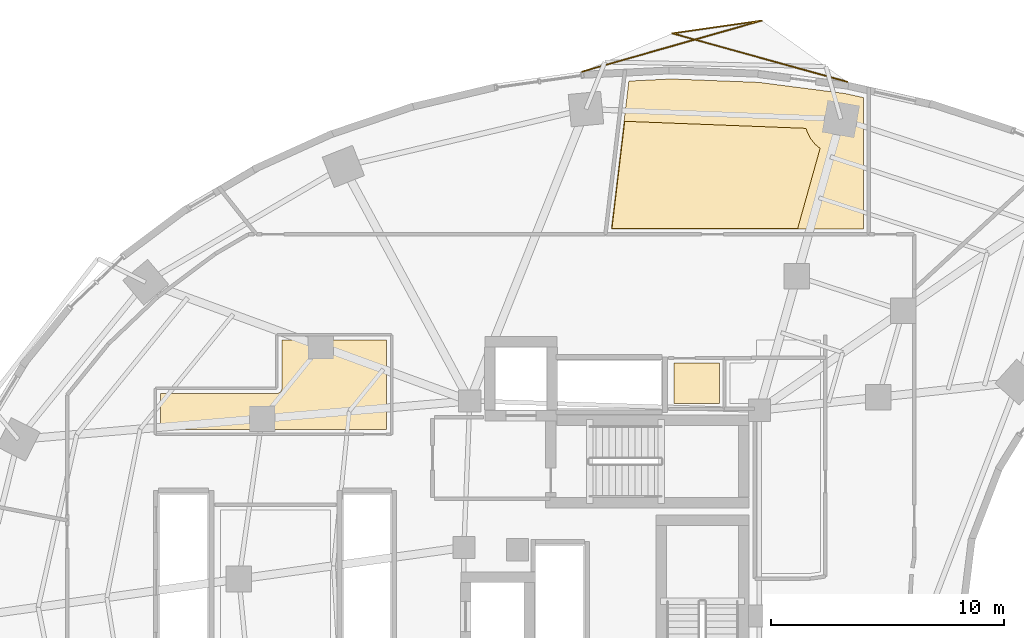
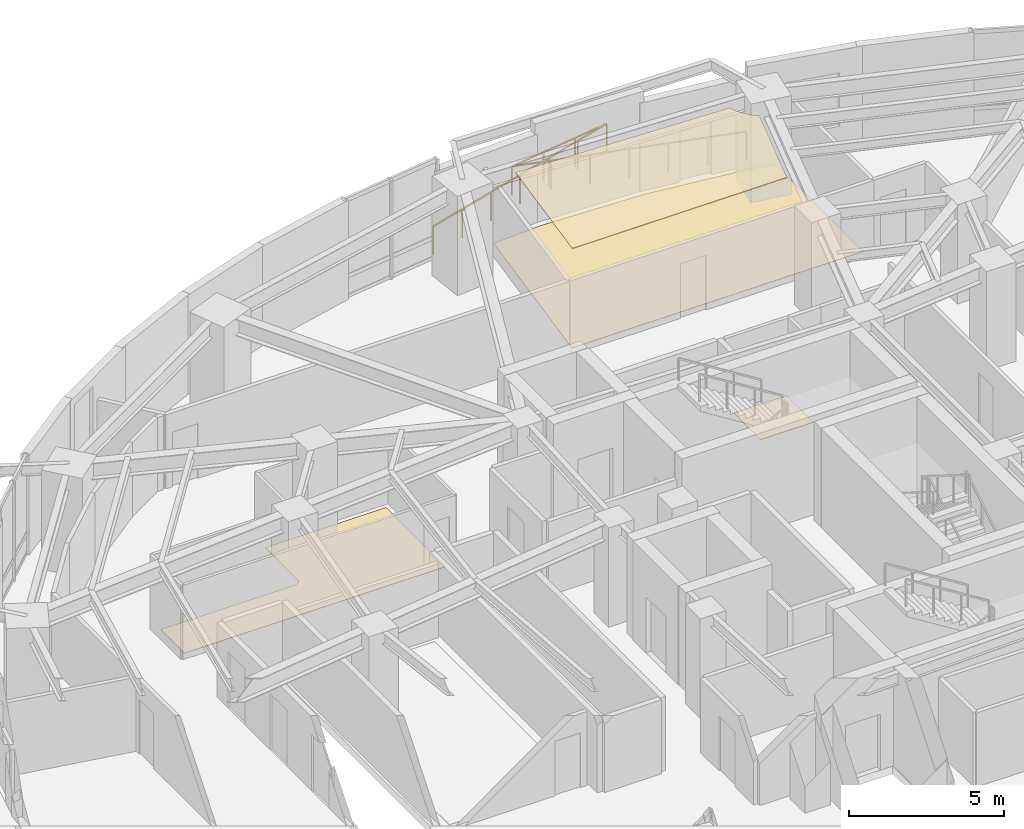
# One storey, part 15 of 15: 4 coverings, 1 railing.
"""IFC4 building model written with IfcOpenShell, lengths in metres."""

from ifc_helpers import new_model, si_unit, direction, frame, origin, origin_2d, place, context, subcontext, project, spatial, polyline, rectangle, outline, extrude, material, layer, layer_set, type_object, element, save


model = new_model("IFC4")

# Units and contexts
model_context = context("Model", 3, precision=1e-05, world=origin(), true_north=direction((0.0, 1.0)))
body_context = subcontext(model_context, "Body", "Model", "MODEL_VIEW")
ifc_project = project(units=[si_unit("LENGTHUNIT", "METRE"), si_unit("AREAUNIT", "SQUARE_METRE"), si_unit("VOLUMEUNIT", "CUBIC_METRE"), si_unit("PLANEANGLEUNIT", "RADIAN"), si_unit("MASSUNIT", "GRAM", prefix="KILO")], contexts=[model_context])

# Site, building, storey
site_placement = place(None, origin())
site = spatial("IfcSite", under=ifc_project, at=site_placement, CompositionType="ELEMENT")
building_placement = place(site_placement, origin())
building = spatial("IfcBuilding", under=site, at=building_placement, Name="Korentha Bioscience Tower", CompositionType="ELEMENT")
storey_placement = place(building_placement, frame((0.0, 0.0, 76.199951171875)))
storey = spatial("IfcBuildingStorey", under=building, at=storey_placement, Name="L17", CompositionType="ELEMENT", Elevation=76.199951171875)

# Covering
ifc_material_1 = material(Name="Vitrified Porcelain Tile", Category="ceramic")
ifc_layer_1 = layer(ifc_material_1, 0.014892578125, Name="Vitrified Porcelain Tile")
ifc_layer_set_1 = layer_set([ifc_layer_1], Name="Vitrified Porcelain Tile (FL-CER)")
covering_type_1 = type_object("IfcCoveringType", Name="Anti-Slip Ceramic Wet-Room Tile Flooring 15", PredefinedType="FLOORING", material=ifc_layer_set_1)
covering_1_placement = place(storey_placement, origin())
element("IfcCovering", 1, at=covering_1_placement, inside=storey, type_object=covering_type_1, Name="L17 Accessible Staff WC Floor Finish", PredefinedType="FLOORING", context=body_context, shape_type="SweptSolid", body=[
    extrude(outline(polyline([(33.8701171875, 36.1298828125), (33.8701171875, 37.8701171875), (35.830078125, 37.8701171875), (35.830078125, 36.1298828125), (33.8701171875, 36.1298828125)])), origin(), (0.0, 0.0, 1.0), 0.01513671875),
])

# Railing
ifc_material_2 = material(Name="Laminated Tempered Safety Glass", Category="glass")
railing_type = type_object("IfcRailingType", Name="Laminated Glass Balcony Guardrail 1150", PredefinedType="BALUSTRADE", material=ifc_material_2)
railing_placement = place(storey_placement, frame((41.33349609375, 49.9638671875, 0.0)))
element("IfcRailing", 2, at=railing_placement, inside=storey, type_object=railing_type, Name="L17 Balcony Guardrail 01", PredefinedType="BALUSTRADE", context=body_context, shape_type="SweptSolid", body=[
    extrude(rectangle(XDim=0.048095703125, YDim=0.048095703125, at=origin_2d()), frame((0.0, 0.0, 1.1259765625), z_axis=(-0.963705393493, 0.266968002864, 0.0), x_axis=(-0.266968002864, -0.963705393493, 0.0)), (0.0, 0.0, 1.0), 7.80712890625),
    extrude(rectangle(XDim=0.048095703125, YDim=0.048095703125, at=origin_2d()), frame((-7.523681640625, 2.084228515625, 1.1259765625), z_axis=(0.989867578194, 0.141993583099, 0.0), x_axis=(-0.141993583099, 0.989867578194, 0.0)), (0.0, 0.0, 1.0), 3.88232421875),
    extrude(rectangle(XDim=0.048095703125, YDim=0.048095703125, at=origin_2d()), frame((-3.6806640625, 2.635498046875, 1.1259765625), z_axis=(-0.961886221557, -0.27344998954, 0.0), x_axis=(0.27344998954, -0.961886221557, 0.0)), (0.0, 0.0, 1.0), 8.017578125),
    extrude(rectangle(XDim=0.0419921875, YDim=0.0419921875, at=origin_2d()), origin(), (0.0, 0.0, 1.0), 1.101806640625),
    extrude(rectangle(XDim=0.0419921875, YDim=0.0419921875, at=origin_2d()), frame((-1.25390625, 0.347412109375, 0.0)), (0.0, 0.0, 1.0), 1.101806640625),
    extrude(rectangle(XDim=0.0419921875, YDim=0.0419921875, at=origin_2d()), frame((-2.5078125, 0.69482421875, 0.0)), (0.0, 0.0, 1.0), 1.101806640625),
    extrude(rectangle(XDim=0.0419921875, YDim=0.0419921875, at=origin_2d()), frame((-3.76171875, 1.0419921875, 0.0)), (0.0, 0.0, 1.0), 1.101806640625),
    extrude(rectangle(XDim=0.0419921875, YDim=0.0419921875, at=origin_2d()), frame((-5.015869140625, 1.389404296875, 0.0)), (0.0, 0.0, 1.0), 1.101806640625),
    extrude(rectangle(XDim=0.0419921875, YDim=0.0419921875, at=origin_2d()), frame((-6.269775390625, 1.73681640625, 0.0)), (0.0, 0.0, 1.0), 1.101806640625),
    extrude(rectangle(XDim=0.0419921875, YDim=0.0419921875, at=origin_2d()), frame((-7.523681640625, 2.084228515625, 0.0)), (0.0, 0.0, 1.0), 1.101806640625),
    extrude(rectangle(XDim=0.0419921875, YDim=0.0419921875, at=origin_2d()), frame((-6.24267578125, 2.26806640625, 0.0)), (0.0, 0.0, 1.0), 1.101806640625),
    extrude(rectangle(XDim=0.0419921875, YDim=0.0419921875, at=origin_2d()), frame((-4.961669921875, 2.45166015625, 0.0)), (0.0, 0.0, 1.0), 1.101806640625),
    extrude(rectangle(XDim=0.0419921875, YDim=0.0419921875, at=origin_2d()), frame((-3.6806640625, 2.635498046875, 0.0)), (0.0, 0.0, 1.0), 1.101806640625),
    extrude(rectangle(XDim=0.0419921875, YDim=0.0419921875, at=origin_2d()), frame((-4.966064453125, 2.27001953125, 0.0)), (0.0, 0.0, 1.0), 1.101806640625),
    extrude(rectangle(XDim=0.0419921875, YDim=0.0419921875, at=origin_2d()), frame((-6.251220703125, 1.90478515625, 0.0)), (0.0, 0.0, 1.0), 1.101806640625),
    extrude(rectangle(XDim=0.0419921875, YDim=0.0419921875, at=origin_2d()), frame((-7.53662109375, 1.539306640625, 0.0)), (0.0, 0.0, 1.0), 1.101806640625),
    extrude(rectangle(XDim=0.0419921875, YDim=0.0419921875, at=origin_2d()), frame((-8.822021484375, 1.173828125, 0.0)), (0.0, 0.0, 1.0), 1.101806640625),
    extrude(rectangle(XDim=0.0419921875, YDim=0.0419921875, at=origin_2d()), frame((-10.107177734375, 0.80859375, 0.0)), (0.0, 0.0, 1.0), 1.101806640625),
    extrude(rectangle(XDim=0.0419921875, YDim=0.0419921875, at=origin_2d()), frame((-11.392578125, 0.443115234375, 0.0)), (0.0, 0.0, 1.0), 1.101806640625),
])

# Coverings
ifc_material_3 = material(Name="Antimicrobial Mineral Fibre Board", Category="gypsum")
ifc_layer_2 = layer(ifc_material_3, 0.034912109375, Name="Antimicrobial Mineral Fibre Board")
ifc_layer_set_2 = layer_set([ifc_layer_2], Name="Antimicrobial Mineral Fibre Board (CL-MF35)")
covering_type_2 = type_object("IfcCoveringType", Name="Mineral-Fibre Cleanroom Suspended Ceiling 35", PredefinedType="CEILING", material=ifc_layer_set_2)
covering_2_placement = place(storey_placement, frame((0.0, 0.0, 3.864990234375)))
element("IfcCovering", 3, at=covering_2_placement, inside=storey, type_object=covering_type_2, Name="L17 Lyophilization Freeze-Drying Room 11 Acoustic Ceiling", PredefinedType="CEILING", context=body_context, shape_type="SweptSolid", body=[
    extrude(outline(polyline([(31.763427734375, 48.268310546875), (39.556884765625, 47.965576171875), (39.62060546875, 47.7734375), (39.763671875, 47.505615234375), (39.95654296875, 47.270751953125), (40.15869140625, 47.102294921875), (39.195556640625, 43.659912109375), (31.214111328125, 43.659912109375), (31.763427734375, 48.268310546875)])), origin(), (0.0, 0.0, 1.0), 0.03515625),
])
ifc_material_4 = material(Name="Chemical-Resistant Epoxy Resin", Category="polymer")
ifc_layer_3 = layer(ifc_material_4, 0.011962890625, Name="Chemical-Resistant Epoxy Resin")
ifc_layer_set_3 = layer_set([ifc_layer_3], Name="Chemical-Resistant Epoxy Resin (FL-EPX)")
covering_type_3 = type_object("IfcCoveringType", Name="Seamless Epoxy Laboratory Flooring 12", PredefinedType="FLOORING", material=ifc_layer_set_3)
covering_3_placement = place(storey_placement, origin())
element("IfcCovering", 4, at=covering_3_placement, inside=storey, type_object=covering_type_3, Name="L17 Lyophilization Freeze-Drying Room 11 Floor Finish", PredefinedType="FLOORING", context=body_context, shape_type="SweptSolid", body=[
    extrude(outline(polyline([(41.2451171875, 49.461181640625), (42.02197265625, 49.287353515625), (42.02197265625, 43.6298828125), (31.18017578125, 43.6298828125), (31.939453125, 49.997314453125), (33.756103515625, 50.0888671875), (37.526611328125, 49.942138671875), (41.2451171875, 49.461181640625)])), origin(), (0.0, 0.0, 1.0), 0.011962890625),
])
covering_4_placement = place(storey_placement, origin())
element("IfcCovering", 5, at=covering_4_placement, inside=storey, type_object=covering_type_3, Name="L17 Epidemiology Modelling Studio 13 Floor Finish", PredefinedType="FLOORING", context=body_context, shape_type="SweptSolid", body=[
    extrude(outline(polyline([(16.800048828125, 36.570068359375), (16.8779296875, 36.58349609375), (16.9541015625, 36.62939453125), (17.0078125, 36.701171875), (17.027587890625, 36.7666015625), (17.030029296875, 38.8701171875), (21.52001953125, 38.8701171875), (21.52001953125, 35.030029296875), (11.81005859375, 35.030029296875), (11.81005859375, 36.570068359375), (16.800048828125, 36.570068359375)])), origin(), (0.0, 0.0, 1.0), 0.011962890625),
])

save(model, "model.ifc")
